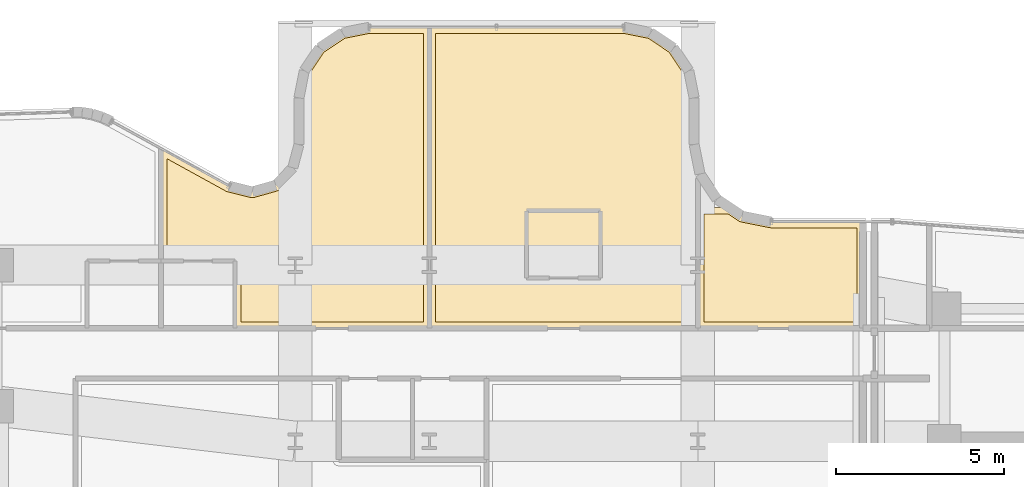
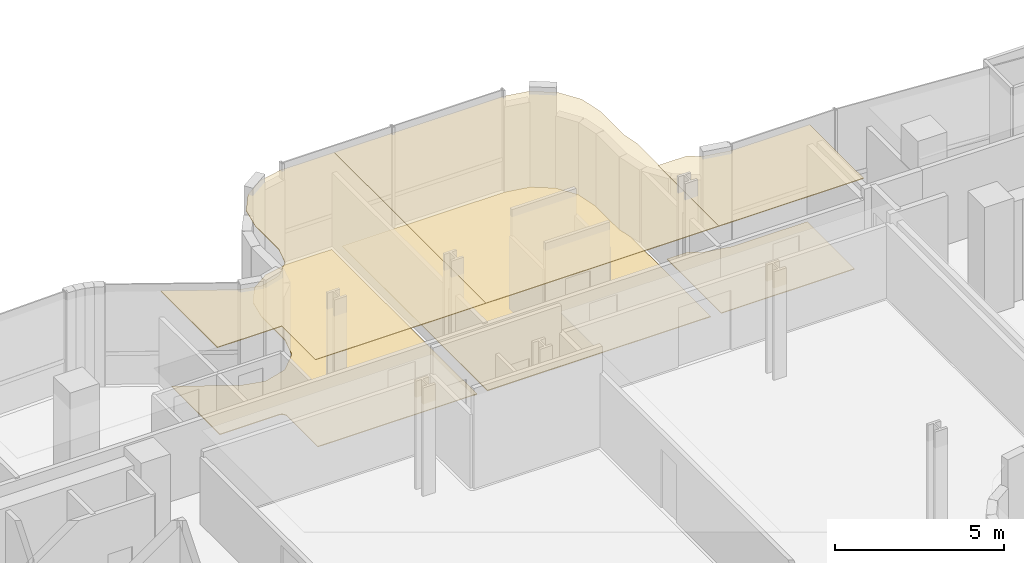
# One storey, part 36 of 36: 6 coverings.
"""IFC4 building model written with IfcOpenShell, lengths in metres."""

from ifc_helpers import new_model, si_unit, direction, frame, origin, place, context, subcontext, project, spatial, polyline, outline, extrude, material, layer, layer_set, type_object, element, save


model = new_model("IFC4")

# Units and contexts
model_context = context("Model", 3, precision=1e-05, world=origin(), true_north=direction((0.0, 1.0)))
body_context = subcontext(model_context, "Body", "Model", "MODEL_VIEW")
ifc_project = project(units=[si_unit("LENGTHUNIT", "METRE"), si_unit("AREAUNIT", "SQUARE_METRE"), si_unit("VOLUMEUNIT", "CUBIC_METRE"), si_unit("PLANEANGLEUNIT", "RADIAN"), si_unit("MASSUNIT", "GRAM", prefix="KILO")], contexts=[model_context])

# Site, building, storey
site_placement = place(None, origin())
site = spatial("IfcSite", under=ifc_project, at=site_placement, CompositionType="ELEMENT")
building_placement = place(site_placement, origin())
building = spatial("IfcBuilding", under=site, at=building_placement, Name="Valdorenza Pilgrim Sanctuary Tower", CompositionType="ELEMENT")
storey_placement = place(building_placement, frame((0.0, 0.0, 176.550048828125)))
storey = spatial("IfcBuildingStorey", under=building, at=storey_placement, Name="L45", CompositionType="ELEMENT", Elevation=176.550048828125)

# Coverings
ifc_material_1 = material(Name="Micro-perforated acoustic mineral ceiling tile", Category="gypsum")
ifc_layer_1 = layer(ifc_material_1, 0.02490234375, Name="Micro-perforated acoustic mineral ceiling tile")
ifc_layer_set_1 = layer_set([ifc_layer_1], Name="Micro-perforated acoustic mineral ceiling tile")
covering_type_1 = type_object("IfcCoveringType", Name="COV-CLG-ACU", PredefinedType="CEILING", material=ifc_layer_set_1)
covering_1_placement = place(storey_placement, frame((0.0, 0.0, 3.329833984375)))
element("IfcCovering", 1, at=covering_1_placement, inside=storey, type_object=covering_type_1, Name="L45 North Guest Room L45-N4 Acoustic Ceiling", PredefinedType="CEILING", context=body_context, shape_type="SweptSolid", body=[
    extrude(outline(polyline([(-5.31298828125, 14.906982421875), (-7.498046875, 14.906982421875), (-7.49951171875, 14.906982421875), (-7.5009765625, 14.9072265625), (-7.50244140625, 14.90771484375), (-7.503662109375, 14.908203125), (-7.505126953125, 14.90869140625), (-7.50634765625, 14.909423828125), (-7.507568359375, 14.910400390625), (-7.508544921875, 14.911376953125), (-7.509521484375, 14.91259765625), (-7.510498046875, 14.913818359375), (-7.51123046875, 14.914794921875), (-7.511962890625, 14.916259765625), (-7.512451171875, 14.91748046875), (-7.5126953125, 14.919189453125), (-7.512939453125, 14.92041015625), (-7.512939453125, 14.922119140625), (-7.512939453125, 18.2734375), (-7.512939453125, 18.27490234375), (-7.5126953125, 18.2763671875), (-7.51220703125, 18.277587890625), (-7.51171875, 18.279052734375), (-7.51123046875, 18.280517578125), (-7.510498046875, 18.28173828125), (-7.509521484375, 18.282958984375), (-7.508544921875, 18.283935546875), (-7.507568359375, 18.284912109375), (-7.50634765625, 18.285888671875), (-7.5048828125, 18.28662109375), (-7.503662109375, 18.287353515625), (-7.502197265625, 18.28759765625), (-7.500732421875, 18.2880859375), (-7.499267578125, 18.288330078125), (-7.497802734375, 18.288330078125), (-7.496337890625, 18.288330078125), (-7.494873046875, 18.2880859375), (-7.493408203125, 18.28759765625), (-7.4921875, 18.287109375), (-7.49072265625, 18.28662109375), (-5.477294921875, 17.178955078125), (-5.469482421875, 17.17529296875), (-5.4619140625, 17.172119140625), (-5.453857421875, 17.169921875), (-4.80615234375, 17.0087890625), (-4.796142578125, 17.0068359375), (-4.786376953125, 17.006103515625), (-4.776611328125, 17.006103515625), (-4.7666015625, 17.00732421875), (-4.756591796875, 17.009765625), (-4.114501953125, 17.19091796875), (-4.104736328125, 17.194091796875), (-4.095947265625, 17.197998046875), (-4.08740234375, 17.203125), (-4.07958984375, 17.208984375), (-4.072021484375, 17.2158203125), (-3.603759765625, 17.69140625), (-3.596923828125, 17.698974609375), (-3.59130859375, 17.70703125), (-3.58642578125, 17.715576171875), (-3.58251953125, 17.724609375), (-3.579345703125, 17.734375), (-3.408203125, 18.37939453125), (-3.406494140625, 18.3876953125), (-3.405517578125, 18.395751953125), (-3.405029296875, 18.404296875), (-3.405029296875, 19.78515625), (-3.40478515625, 19.78662109375), (-3.40478515625, 19.7880859375), (-3.243408203125, 20.599365234375), (-3.242919921875, 20.600830078125), (-3.242431640625, 20.602294921875), (-3.24169921875, 20.603515625), (-3.2412109375, 20.604736328125), (-2.78759765625, 21.283447265625), (-2.786865234375, 21.28466796875), (-2.785888671875, 21.285888671875), (-2.78466796875, 21.286865234375), (-2.783447265625, 21.28759765625), (-2.104736328125, 21.7412109375), (-2.103515625, 21.74169921875), (-2.102294921875, 21.742431640625), (-2.100830078125, 21.742919921875), (-2.099365234375, 21.743408203125), (-1.2880859375, 21.90478515625), (-1.28662109375, 21.90478515625), (-1.28515625, 21.905029296875), (0.5, 21.905029296875), (0.50146484375, 21.90478515625), (0.5029296875, 21.90478515625), (0.50439453125, 21.904296875), (0.505615234375, 21.90380859375), (0.507080078125, 21.9033203125), (0.50830078125, 21.902587890625), (0.509521484375, 21.901611328125), (0.510498046875, 21.900634765625), (0.51171875, 21.8994140625), (0.512451171875, 21.898193359375), (0.51318359375, 21.897216796875), (0.513916015625, 21.895751953125), (0.514404296875, 21.894287109375), (0.5146484375, 21.892822265625), (0.514892578125, 21.8916015625), (0.514892578125, 21.889892578125), (0.514892578125, 12.919921875), (0.514892578125, 12.91845703125), (0.5146484375, 12.9169921875), (0.514404296875, 12.91552734375), (0.513916015625, 12.914306640625), (0.51318359375, 12.912841796875), (0.512451171875, 12.91162109375), (0.51171875, 12.910400390625), (0.510498046875, 12.909423828125), (0.509521484375, 12.908447265625), (0.50830078125, 12.907470703125), (0.507080078125, 12.90673828125), (0.505615234375, 12.906005859375), (0.50439453125, 12.905517578125), (0.5029296875, 12.9052734375), (0.50146484375, 12.905029296875), (0.5, 12.905029296875), (-5.298095703125, 12.905029296875), (-5.299560546875, 12.905029296875), (-5.30078125, 12.9052734375), (-5.302490234375, 12.905517578125), (-5.3037109375, 12.906005859375), (-5.30517578125, 12.90673828125), (-5.306396484375, 12.907470703125), (-5.3076171875, 12.908447265625), (-5.30859375, 12.909423828125), (-5.3095703125, 12.910400390625), (-5.310546875, 12.91162109375), (-5.311279296875, 12.912841796875), (-5.31201171875, 12.914306640625), (-5.3125, 12.91552734375), (-5.312744140625, 12.9169921875), (-5.31298828125, 12.91845703125), (-5.31298828125, 12.919921875), (-5.31298828125, 14.906982421875)])), origin(), (0.0, 0.0, 1.0), 0.025146484375),
])
covering_2_placement = place(storey_placement, frame((0.0, 0.0, 3.329833984375)))
element("IfcCovering", 2, at=covering_2_placement, inside=storey, type_object=covering_type_1, Name="L45 North Guest Room L45-N5 Acoustic Ceiling", PredefinedType="CEILING", context=body_context, shape_type="SweptSolid", body=[
    extrude(outline(polyline([(6.28515625, 21.905029296875), (6.28662109375, 21.90478515625), (6.2880859375, 21.90478515625), (7.099365234375, 21.743408203125), (7.100830078125, 21.742919921875), (7.102294921875, 21.742431640625), (7.103515625, 21.74169921875), (7.104736328125, 21.7412109375), (7.783447265625, 21.28759765625), (7.78466796875, 21.286865234375), (7.785888671875, 21.285888671875), (7.786865234375, 21.28466796875), (7.78759765625, 21.283447265625), (8.2412109375, 20.604736328125), (8.24169921875, 20.603515625), (8.242431640625, 20.602294921875), (8.242919921875, 20.600830078125), (8.243408203125, 20.599365234375), (8.40478515625, 19.7880859375), (8.40478515625, 19.78662109375), (8.405029296875, 19.78515625), (8.405029296875, 18.404296875), (8.405517578125, 18.394775390625), (8.406982421875, 18.385009765625), (8.5146484375, 17.84326171875), (8.514892578125, 17.841796875), (8.514892578125, 17.84033203125), (8.514892578125, 12.919921875), (8.514892578125, 12.91845703125), (8.5146484375, 12.9169921875), (8.514404296875, 12.91552734375), (8.513916015625, 12.914306640625), (8.51318359375, 12.912841796875), (8.512451171875, 12.91162109375), (8.51171875, 12.910400390625), (8.510498046875, 12.909423828125), (8.509521484375, 12.908447265625), (8.50830078125, 12.907470703125), (8.507080078125, 12.90673828125), (8.505615234375, 12.906005859375), (8.50439453125, 12.905517578125), (8.5029296875, 12.9052734375), (8.50146484375, 12.905029296875), (8.5, 12.905029296875), (0.501953125, 12.905029296875), (0.50048828125, 12.905029296875), (0.4990234375, 12.9052734375), (0.49755859375, 12.905517578125), (0.496337890625, 12.906005859375), (0.494873046875, 12.90673828125), (0.49365234375, 12.907470703125), (0.492431640625, 12.908447265625), (0.491455078125, 12.909423828125), (0.490478515625, 12.910400390625), (0.489501953125, 12.91162109375), (0.48876953125, 12.912841796875), (0.488037109375, 12.914306640625), (0.487548828125, 12.91552734375), (0.4873046875, 12.9169921875), (0.487060546875, 12.91845703125), (0.487060546875, 12.919921875), (0.487060546875, 21.889892578125), (0.487060546875, 21.8916015625), (0.4873046875, 21.892822265625), (0.487548828125, 21.894287109375), (0.488037109375, 21.895751953125), (0.48876953125, 21.897216796875), (0.489501953125, 21.898193359375), (0.490478515625, 21.8994140625), (0.491455078125, 21.900634765625), (0.492431640625, 21.901611328125), (0.49365234375, 21.902587890625), (0.494873046875, 21.9033203125), (0.496337890625, 21.90380859375), (0.49755859375, 21.904296875), (0.4990234375, 21.90478515625), (0.50048828125, 21.90478515625), (0.501953125, 21.905029296875), (6.28515625, 21.905029296875)])), origin(), (0.0, 0.0, 1.0), 0.025146484375),
])
covering_3_placement = place(storey_placement, frame((0.0, 0.0, 3.329833984375)))
element("IfcCovering", 3, at=covering_3_placement, inside=storey, type_object=covering_type_1, Name="L45 East Contemplation Salon L45 Acoustic Ceiling", PredefinedType="CEILING", context=body_context, shape_type="SweptSolid", body=[
    extrude(outline(polyline([(8.501953125, 12.905029296875), (8.50048828125, 12.905029296875), (8.4990234375, 12.9052734375), (8.49755859375, 12.905517578125), (8.496337890625, 12.906005859375), (8.494873046875, 12.90673828125), (8.49365234375, 12.907470703125), (8.492431640625, 12.908447265625), (8.491455078125, 12.909423828125), (8.490478515625, 12.910400390625), (8.489501953125, 12.91162109375), (8.48876953125, 12.912841796875), (8.488037109375, 12.914306640625), (8.487548828125, 12.91552734375), (8.4873046875, 12.9169921875), (8.487060546875, 12.91845703125), (8.487060546875, 12.919921875), (8.487060546875, 16.5), (8.487060546875, 16.50146484375), (8.4873046875, 16.5029296875), (8.487548828125, 16.50439453125), (8.488037109375, 16.505615234375), (8.48876953125, 16.507080078125), (8.489501953125, 16.50830078125), (8.490478515625, 16.509521484375), (8.491455078125, 16.510498046875), (8.492431640625, 16.51171875), (8.49365234375, 16.512451171875), (8.494873046875, 16.51318359375), (8.496337890625, 16.513916015625), (8.49755859375, 16.514404296875), (8.4990234375, 16.5146484375), (8.50048828125, 16.514892578125), (8.501953125, 16.514892578125), (9.464599609375, 16.514892578125), (9.466064453125, 16.514892578125), (9.467529296875, 16.5146484375), (9.468994140625, 16.514404296875), (9.470458984375, 16.513916015625), (9.4716796875, 16.51318359375), (9.472900390625, 16.512451171875), (9.8076171875, 16.2890625), (9.81591796875, 16.283935546875), (9.82421875, 16.280029296875), (9.8330078125, 16.27685546875), (9.84228515625, 16.274658203125), (10.68505859375, 16.10693359375), (10.694580078125, 16.10546875), (10.704345703125, 16.10498046875), (13.419921875, 16.10498046875), (13.42138671875, 16.10498046875), (13.4228515625, 16.104736328125), (13.42431640625, 16.1044921875), (13.42578125, 16.10400390625), (13.427001953125, 16.103271484375), (13.42822265625, 16.1025390625), (13.429443359375, 16.1015625), (13.4306640625, 16.1005859375), (13.431640625, 16.099609375), (13.4326171875, 16.098388671875), (13.43310546875, 16.09716796875), (13.433837890625, 16.095703125), (13.434326171875, 16.094482421875), (13.434814453125, 16.093017578125), (13.434814453125, 16.091552734375), (13.43505859375, 16.090087890625), (13.43505859375, 12.919921875), (13.434814453125, 12.91845703125), (13.434814453125, 12.9169921875), (13.434326171875, 12.91552734375), (13.433837890625, 12.914306640625), (13.43310546875, 12.912841796875), (13.4326171875, 12.91162109375), (13.431640625, 12.910400390625), (13.4306640625, 12.909423828125), (13.429443359375, 12.908447265625), (13.42822265625, 12.907470703125), (13.427001953125, 12.90673828125), (13.42578125, 12.906005859375), (13.42431640625, 12.905517578125), (13.4228515625, 12.9052734375), (13.42138671875, 12.905029296875), (13.419921875, 12.905029296875), (8.501953125, 12.905029296875)])), origin(), (0.0, 0.0, 1.0), 0.025146484375),
])
ifc_material_2 = material(Name="Engineered European oak timber flooring", Category="wood")
ifc_layer_2 = layer(ifc_material_2, 0.02197265625, Name="Engineered European oak timber flooring")
ifc_layer_set_2 = layer_set([ifc_layer_2], Name="Engineered European oak timber flooring")
covering_type_2 = type_object("IfcCoveringType", Name="COV-FLR-OAK", PredefinedType="FLOORING", material=ifc_layer_set_2)
covering_4_placement = place(storey_placement, origin())
element("IfcCovering", 4, at=covering_4_placement, inside=storey, type_object=covering_type_2, Name="L45 North Guest Room L45-N4 Flooring", PredefinedType="FLOORING", context=body_context, shape_type="SweptSolid", body=[
    extrude(outline(polyline([(0.320068359375, 13.10009765625), (-5.117919921875, 13.10009765625), (-5.117919921875, 14.919921875), (-5.1181640625, 14.9287109375), (-5.1181640625, 14.928955078125), (-5.1201171875, 14.946533203125), (-5.1201171875, 14.94677734375), (-5.123291015625, 14.964111328125), (-5.12353515625, 14.96435546875), (-5.128662109375, 14.981201171875), (-5.128662109375, 14.9814453125), (-5.135498046875, 14.997802734375), (-5.135498046875, 14.997802734375), (-5.143798828125, 15.013427734375), (-5.143798828125, 15.013671875), (-5.15380859375, 15.0283203125), (-5.15380859375, 15.028564453125), (-5.1650390625, 15.0419921875), (-5.165283203125, 15.042236328125), (-5.177734375, 15.0546875), (-5.177978515625, 15.054931640625), (-5.19140625, 15.066162109375), (-5.191650390625, 15.066162109375), (-5.206298828125, 15.076171875), (-5.20654296875, 15.076171875), (-5.22216796875, 15.08447265625), (-5.222412109375, 15.084716796875), (-5.238525390625, 15.09130859375), (-5.23876953125, 15.09130859375), (-5.255615234375, 15.096435546875), (-5.255859375, 15.0966796875), (-5.273193359375, 15.10009765625), (-5.2734375, 15.10009765625), (-5.291015625, 15.101806640625), (-5.291259765625, 15.101806640625), (-5.300048828125, 15.10205078125), (-7.318115234375, 15.10205078125), (-7.318115234375, 17.968994140625), (-5.571044921875, 17.008056640625), (-5.564208984375, 17.00439453125), (-5.555419921875, 17.000244140625), (-5.541259765625, 16.993896484375), (-5.532470703125, 16.990478515625), (-5.517822265625, 16.9853515625), (-5.508544921875, 16.982666015625), (-5.501220703125, 16.980712890625), (-4.852783203125, 16.819580078125), (-4.84375, 16.8173828125), (-4.83251953125, 16.8154296875), (-4.814208984375, 16.812744140625), (-4.802734375, 16.811767578125), (-4.7841796875, 16.81103515625), (-4.772705078125, 16.811279296875), (-4.754150390625, 16.8125), (-4.74267578125, 16.81396484375), (-4.724365234375, 16.817138671875), (-4.713134765625, 16.819580078125), (-4.7041015625, 16.822021484375), (-4.061279296875, 17.003173828125), (-4.05224609375, 17.005859375), (-4.04150390625, 17.009521484375), (-4.024169921875, 17.0166015625), (-4.013916015625, 17.021240234375), (-3.997314453125, 17.02978515625), (-3.987548828125, 17.03564453125), (-3.971923828125, 17.0458984375), (-3.962890625, 17.052734375), (-3.948486328125, 17.064697265625), (-3.93994140625, 17.072509765625), (-3.933349609375, 17.078857421875), (-3.464599609375, 17.5546875), (-3.458251953125, 17.5615234375), (-3.45068359375, 17.5703125), (-3.43896484375, 17.584716796875), (-3.432373046875, 17.593994140625), (-3.42236328125, 17.609619140625), (-3.41650390625, 17.61962890625), (-3.408203125, 17.63623046875), (-3.403564453125, 17.646728515625), (-3.39697265625, 17.664306640625), (-3.3935546875, 17.675048828125), (-3.390869140625, 17.68408203125), (-3.2197265625, 18.32958984375), (-3.218017578125, 18.337158203125), (-3.2158203125, 18.346435546875), (-3.213134765625, 18.36181640625), (-3.2119140625, 18.37109375), (-3.210693359375, 18.38671875), (-3.210205078125, 18.396240234375), (-3.2099609375, 18.404052734375), (-3.2099609375, 19.767333984375), (-3.05908203125, 20.5263671875), (-2.6455078125, 21.1455078125), (-2.0263671875, 21.55908203125), (-1.267333984375, 21.7099609375), (0.320068359375, 21.7099609375), (0.320068359375, 13.10009765625)])), origin(), (0.0, 0.0, 1.0), 0.02490234375),
])
covering_5_placement = place(storey_placement, origin())
element("IfcCovering", 5, at=covering_5_placement, inside=storey, type_object=covering_type_2, Name="L45 North Guest Room L45-N5 Flooring", PredefinedType="FLOORING", context=body_context, shape_type="SweptSolid", body=[
    extrude(outline(polyline([(6.267333984375, 21.7099609375), (7.0263671875, 21.55908203125), (7.6455078125, 21.1455078125), (8.05908203125, 20.5263671875), (8.2099609375, 19.767333984375), (8.2099609375, 18.404052734375), (8.210205078125, 18.395263671875), (8.210693359375, 18.384521484375), (8.21240234375, 18.36669921875), (8.214111328125, 18.356201171875), (8.215576171875, 18.347412109375), (8.320068359375, 17.822509765625), (8.320068359375, 13.10009765625), (0.681884765625, 13.10009765625), (0.681884765625, 21.7099609375), (6.267333984375, 21.7099609375)])), origin(), (0.0, 0.0, 1.0), 0.02490234375),
])
ifc_material_3 = material(Name="Honed travertine stone flooring", Category="masonry")
ifc_layer_3 = layer(ifc_material_3, 0.030029296875, Name="Honed travertine stone flooring")
ifc_layer_set_3 = layer_set([ifc_layer_3], Name="Honed travertine stone flooring")
covering_type_3 = type_object("IfcCoveringType", Name="COV-FLR-TRV", PredefinedType="FLOORING", material=ifc_layer_set_3)
covering_6_placement = place(storey_placement, origin())
element("IfcCovering", 6, at=covering_6_placement, inside=storey, type_object=covering_type_3, Name="L45 East Contemplation Salon L45 Flooring", PredefinedType="FLOORING", context=body_context, shape_type="SweptSolid", body=[
    extrude(outline(polyline([(8.681884765625, 13.10009765625), (8.681884765625, 16.320068359375), (9.41015625, 16.320068359375), (9.699462890625, 16.126708984375), (9.70703125, 16.121826171875), (9.71630859375, 16.116455078125), (9.731689453125, 16.108154296875), (9.74169921875, 16.103515625), (9.7578125, 16.0966796875), (9.76806640625, 16.093017578125), (9.784912109375, 16.087890625), (9.79541015625, 16.085205078125), (9.803955078125, 16.08349609375), (10.6474609375, 15.91552734375), (10.656005859375, 15.9140625), (10.666748046875, 15.91259765625), (10.684326171875, 15.91064453125), (10.6953125, 15.91015625), (10.7041015625, 15.909912109375), (13.239990234375, 15.909912109375), (13.239990234375, 13.10009765625), (8.681884765625, 13.10009765625)])), origin(), (0.0, 0.0, 1.0), 0.02490234375),
])

save(model, "model.ifc")
